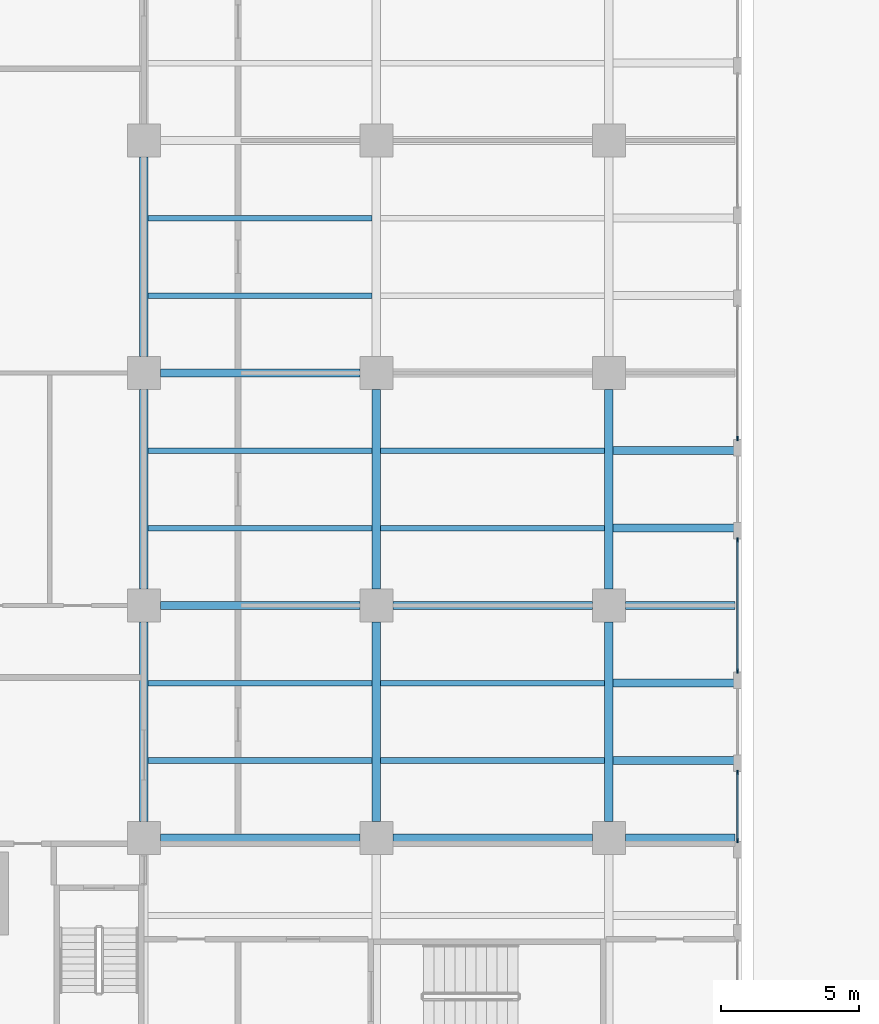
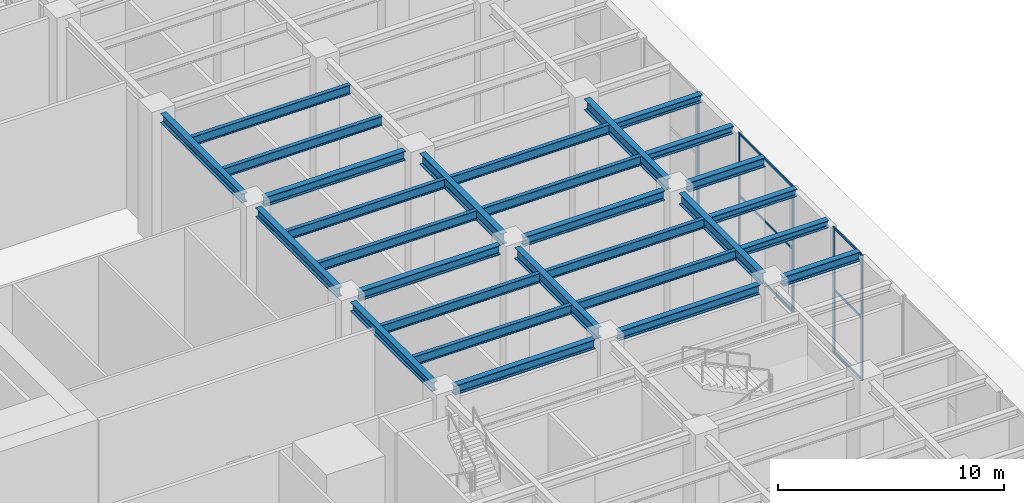
# One storey, part 13 of 43: 28 beams, 11 members, 3 elements without a shape of their own.
"""IFC4 building model written with IfcOpenShell, lengths in metres."""

from ifc_helpers import new_model, si_unit, direction, frame, origin, origin_2d, place, context, subcontext, project, spatial, rectangle, i_section, extrude, material, material_profile, profile_set, type_object, element, aggregate, save


model = new_model("IFC4")

# Units and contexts
model_context = context("Model", 3, precision=1e-05, world=origin(), true_north=direction((0.0, 1.0)))
body_context = subcontext(model_context, "Body", "Model", "MODEL_VIEW")
ifc_project = project(units=[si_unit("LENGTHUNIT", "METRE"), si_unit("AREAUNIT", "SQUARE_METRE"), si_unit("VOLUMEUNIT", "CUBIC_METRE"), si_unit("PLANEANGLEUNIT", "RADIAN"), si_unit("MASSUNIT", "GRAM", prefix="KILO")], contexts=[model_context])

# Site, building, storey
site_placement = place(None, origin())
site = spatial("IfcSite", under=ifc_project, at=site_placement, CompositionType="ELEMENT")
building_placement = place(site_placement, origin())
building = spatial("IfcBuilding", under=site, at=building_placement, Name="Khepri Terraces", CompositionType="ELEMENT")
storey_placement = place(building_placement, origin())
storey = spatial("IfcBuildingStorey", under=building, at=storey_placement, Name="L00", CompositionType="ELEMENT", Elevation=0.0)

# Curtain wall, members
ifc_material_1 = material(Name="Anodised aluminium bronze curtain wall", Category="aluminium")
curtain_wall_type = type_object("IfcCurtainWallType", Name="CW-SYS1-LOBBY", PredefinedType="NOTDEFINED", material=ifc_material_1)
curtain_wall_1_placement = place(storey_placement, origin())
curtain_wall_1 = element("IfcCurtainWall", 1, at=curtain_wall_1_placement, inside=storey, type_object=curtain_wall_type, Name="Curtain wall CW1 L00 E", PredefinedType="NOTDEFINED")
ifc_material_2 = material(Name="Anodised aluminium bronze", Category="aluminium")
ifc_material_profile_1 = material_profile(ifc_material_2, rectangle(XDim=0.06005859375, YDim=0.159912109375, at=origin_2d()), Name="Anodised aluminium bronze", Category="aluminium")
ifc_profile_set_1 = profile_set([ifc_material_profile_1], Name="Anodised aluminium bronze")
member_type_1 = type_object("IfcMemberType", Name="CW-MULLION-60x160", PredefinedType="MULLION", material=ifc_profile_set_1)
member_1_placement = place(storey_placement, frame((46.64990234375, -16.89501953125, 0.0), z_axis=(0.0, 0.0, 1.0), x_axis=(-1.0, 0.0, 0.0)))
member_1 = element("IfcMember", 2, at=member_1_placement, type_object=member_type_1, Name="CW1 mullion 1", PredefinedType="MULLION", context=body_context, shape_type="SweptSolid", body=[
    extrude(rectangle(XDim=0.06005859375, YDim=0.159912109375, at=origin_2d()), origin(), (0.0, 0.0, 1.0), 6.780029296875),
])
member_2_placement = place(storey_placement, frame((46.64990234375, -14.429931640625, 0.0), z_axis=(0.0, 0.0, 1.0), x_axis=(-1.0, 0.0, 0.0)))
member_2 = element("IfcMember", 3, at=member_2_placement, type_object=member_type_1, Name="CW1 mullion 2", PredefinedType="MULLION", context=body_context, shape_type="SweptSolid", body=[
    extrude(rectangle(XDim=0.06005859375, YDim=0.159912109375, at=origin_2d()), origin(), (0.0, 0.0, 1.0), 6.780029296875),
])

curtain_wall_2_placement = place(storey_placement, origin())
curtain_wall_2 = element("IfcCurtainWall", 4, at=curtain_wall_2_placement, inside=storey, type_object=curtain_wall_type, Name="Curtain wall CW1 L00 E", PredefinedType="NOTDEFINED")
member_3_placement = place(storey_placement, frame((46.64990234375, -10.77001953125, 0.0), z_axis=(0.0, 0.0, 1.0), x_axis=(-1.0, 0.0, 0.0)))
member_3 = element("IfcMember", 5, at=member_3_placement, type_object=member_type_1, Name="CW1 mullion 1", PredefinedType="MULLION", context=body_context, shape_type="SweptSolid", body=[
    extrude(rectangle(XDim=0.06005859375, YDim=0.159912109375, at=origin_2d()), origin(), (0.0, 0.0, 1.0), 6.780029296875),
])
member_4_placement = place(storey_placement, frame((46.64990234375, -6.030029296875, 0.0), z_axis=(0.0, 0.0, 1.0), x_axis=(-1.0, 0.0, 0.0)))
member_4 = element("IfcMember", 6, at=member_4_placement, type_object=member_type_1, Name="CW1 mullion 2", PredefinedType="MULLION", context=body_context, shape_type="SweptSolid", body=[
    extrude(rectangle(XDim=0.06005859375, YDim=0.159912109375, at=origin_2d()), origin(), (0.0, 0.0, 1.0), 6.780029296875),
])

# Curtain wall, member
curtain_wall_3_placement = place(storey_placement, origin())
curtain_wall_3 = element("IfcCurtainWall", 7, at=curtain_wall_3_placement, inside=storey, type_object=curtain_wall_type, Name="Curtain wall CW1 L00 E", PredefinedType="NOTDEFINED")
member_5_placement = place(storey_placement, frame((46.64990234375, -2.3701171875, 0.0), z_axis=(0.0, 0.0, 1.0), x_axis=(-1.0, 0.0, 0.0)))
member_5 = element("IfcMember", 8, at=member_5_placement, type_object=member_type_1, Name="CW1 mullion 1", PredefinedType="MULLION", context=body_context, shape_type="SweptSolid", body=[
    extrude(rectangle(XDim=0.06005859375, YDim=0.159912109375, at=origin_2d()), origin(), (0.0, 0.0, 1.0), 6.780029296875),
])
aggregate(curtain_wall_3, [member_5])

# Member
ifc_material_profile_2 = material_profile(ifc_material_2, rectangle(XDim=0.06005859375, YDim=0.1201171875, at=origin_2d()), Name="Anodised aluminium bronze", Category="aluminium")
ifc_profile_set_2 = profile_set([ifc_material_profile_2], Name="Anodised aluminium bronze")
member_type_2 = type_object("IfcMemberType", Name="CW-TRANSOM-60x120", PredefinedType="USERDEFINED", material=ifc_profile_set_2)
member_6_placement = place(storey_placement, frame((46.64990234375, -16.864990234375, 0.030029296875), z_axis=(0.0, 1.0, 0.0), x_axis=(-1.0, 0.0, 0.0)))
member_6 = element("IfcMember", 9, at=member_6_placement, type_object=member_type_2, Name="CW1 transom 1.1", ObjectType="TRANSOM", PredefinedType="USERDEFINED", context=body_context, shape_type="SweptSolid", body=[
    extrude(rectangle(XDim=0.06005859375, YDim=0.1201171875, at=origin_2d()), origin(), (0.0, 0.0, 1.0), 2.405029296875),
])

member_7_placement = place(storey_placement, frame((46.64990234375, -16.864990234375, 3.389892578125), z_axis=(0.0, 1.0, 0.0), x_axis=(-1.0, 0.0, 0.0)))
member_7 = element("IfcMember", 10, at=member_7_placement, type_object=member_type_2, Name="CW1 transom 1.2", ObjectType="TRANSOM", PredefinedType="USERDEFINED", context=body_context, shape_type="SweptSolid", body=[
    extrude(rectangle(XDim=0.06005859375, YDim=0.1201171875, at=origin_2d()), origin(), (0.0, 0.0, 1.0), 2.405029296875),
])

member_8_placement = place(storey_placement, frame((46.64990234375, -16.864990234375, 6.75), z_axis=(0.0, 1.0, 0.0), x_axis=(-1.0, 0.0, 0.0)))
member_8 = element("IfcMember", 11, at=member_8_placement, type_object=member_type_2, Name="CW1 transom 1.3", ObjectType="TRANSOM", PredefinedType="USERDEFINED", context=body_context, shape_type="SweptSolid", body=[
    extrude(rectangle(XDim=0.06005859375, YDim=0.1201171875, at=origin_2d()), origin(), (0.0, 0.0, 1.0), 2.405029296875),
])

aggregate(curtain_wall_1, [member_1, member_2, member_6, member_7, member_8])

member_9_placement = place(storey_placement, frame((46.64990234375, -10.739990234375, 0.030029296875), z_axis=(0.0, 1.0, 0.0), x_axis=(-1.0, 0.0, 0.0)))
member_9 = element("IfcMember", 12, at=member_9_placement, type_object=member_type_2, Name="CW1 transom 1.1", ObjectType="TRANSOM", PredefinedType="USERDEFINED", context=body_context, shape_type="SweptSolid", body=[
    extrude(rectangle(XDim=0.06005859375, YDim=0.1201171875, at=origin_2d()), origin(), (0.0, 0.0, 1.0), 4.679931640625),
])

member_10_placement = place(storey_placement, frame((46.64990234375, -10.739990234375, 3.389892578125), z_axis=(0.0, 1.0, 0.0), x_axis=(-1.0, 0.0, 0.0)))
member_10 = element("IfcMember", 13, at=member_10_placement, type_object=member_type_2, Name="CW1 transom 1.2", ObjectType="TRANSOM", PredefinedType="USERDEFINED", context=body_context, shape_type="SweptSolid", body=[
    extrude(rectangle(XDim=0.06005859375, YDim=0.1201171875, at=origin_2d()), origin(), (0.0, 0.0, 1.0), 4.679931640625),
])

member_11_placement = place(storey_placement, frame((46.64990234375, -10.739990234375, 6.75), z_axis=(0.0, 1.0, 0.0), x_axis=(-1.0, 0.0, 0.0)))
member_11 = element("IfcMember", 14, at=member_11_placement, type_object=member_type_2, Name="CW1 transom 1.3", ObjectType="TRANSOM", PredefinedType="USERDEFINED", context=body_context, shape_type="SweptSolid", body=[
    extrude(rectangle(XDim=0.06005859375, YDim=0.1201171875, at=origin_2d()), origin(), (0.0, 0.0, 1.0), 4.679931640625),
])

aggregate(curtain_wall_2, [member_3, member_4, member_9, member_10, member_11])

# Beams
ifc_material_3 = material(Name="Steel S355", Category="steel")
ifc_material_profile_3 = material_profile(ifc_material_3, i_section(OverallWidth=0.300048828125, OverallDepth=0.39990234375, WebThickness=0.013427734375, FlangeThickness=0.02392578125, FilletRadius=0.027099609375, at=origin_2d()), Name="Steel S355", Category="steel")
ifc_profile_set_3 = profile_set([ifc_material_profile_3], Name="Steel S355")
beam_type_1 = type_object("IfcBeamType", Name="Podium cantilever joist L01 HEB 400", PredefinedType="JOIST", material=ifc_profile_set_3)
for number, where, z_axis, x_axis, name in (
    (15, (42.14990234375, -14.0, 6.800048828125), (1.0, 0.0, 0.0), (0.0, 1.0, 0.0), "Podium cantilever joist L01 112"),
    (16, (42.14990234375, -11.199951171875, 6.800048828125), (1.0, 0.0, 0.0), (0.0, 1.0, 0.0), "Podium cantilever joist L01 118"),
    (17, (42.14990234375, -5.60009765625, 6.800048828125), (1.0, 0.0, 0.0), (0.0, 1.0, 0.0), "Podium cantilever joist L01 130"),
    (18, (42.14990234375, -2.800048828125, 6.800048828125), (1.0, 0.0, 0.0), (0.0, 1.0, 0.0), "Podium cantilever joist L01 136"),
):
    element("IfcBeam", number, at=place(storey_placement, frame(where, z_axis=z_axis, x_axis=x_axis)), inside=storey, type_object=beam_type_1, Name=name, PredefinedType="JOIST", context=body_context, shape_type="SweptSolid", body=[
        extrude(i_section(OverallWidth=0.300048828125, OverallDepth=0.39990234375, WebThickness=0.013427734375, FlangeThickness=0.02392578125, FilletRadius=0.027099609375, at=origin_2d()), origin(), (0.0, 0.0, 1.0), 4.400146484375),
    ])
ifc_material_profile_4 = material_profile(ifc_material_3, i_section(OverallWidth=0.300048828125, OverallDepth=0.60009765625, WebThickness=0.015380859375, FlangeThickness=0.030029296875, FilletRadius=0.027099609375, at=origin_2d()), Name="Steel S355", Category="steel")
ifc_profile_set_4 = profile_set([ifc_material_profile_4], Name="Steel S355")
beam_type_2 = type_object("IfcBeamType", Name="Podium girder L01 HEB 600", PredefinedType="BEAM", material=ifc_profile_set_4)
for number, where, z_axis, x_axis, name in (
    (19, (33.60009765625, -16.199951171875, 6.699951171875), (0.0, 1.0, 0.0), (-1.0, 0.0, 0.0), "Podium girder L01 079"),
    (20, (33.60009765625, -7.800048828125, 6.699951171875), (0.0, 1.0, 0.0), (-1.0, 0.0, 0.0), "Podium girder L01 080"),
    (21, (42.0, -16.199951171875, 6.699951171875), (0.0, 1.0, 0.0), (-1.0, 0.0, 0.0), "Podium girder L01 091"),
    (22, (42.0, -7.800048828125, 6.699951171875), (0.0, 1.0, 0.0), (-1.0, 0.0, 0.0), "Podium girder L01 092"),
):
    element("IfcBeam", number, at=place(storey_placement, frame(where, z_axis=z_axis, x_axis=x_axis)), inside=storey, type_object=beam_type_2, Name=name, PredefinedType="BEAM", context=body_context, shape_type="SweptSolid", body=[
        extrude(i_section(OverallWidth=0.300048828125, OverallDepth=0.60009765625, WebThickness=0.015380859375, FlangeThickness=0.030029296875, FilletRadius=0.027099609375, at=origin_2d()), origin(), (0.0, 0.0, 1.0), 7.199951171875),
    ])
ifc_material_profile_5 = material_profile(ifc_material_3, i_section(OverallWidth=0.300048828125, OverallDepth=0.5, WebThickness=0.014404296875, FlangeThickness=0.028076171875, FilletRadius=0.027099609375, at=origin_2d()), Name="Steel S355", Category="steel")
ifc_profile_set_5 = profile_set([ifc_material_profile_5], Name="Steel S355")
beam_type_3 = type_object("IfcBeamType", Name="Podium girder L01 grid line HEB 500", PredefinedType="BEAM", material=ifc_profile_set_5)
for number, where, z_axis, x_axis, name in (
    (23, (25.800048828125, -16.800048828125, 6.75), (1.0, 0.0, 0.0), (0.0, 1.0, 0.0), "Podium grid-line girder L01 104"),
    (24, (34.199951171875, -16.800048828125, 6.75), (1.0, 0.0, 0.0), (0.0, 1.0, 0.0), "Podium grid-line girder L01 105"),
):
    element("IfcBeam", number, at=place(storey_placement, frame(where, z_axis=z_axis, x_axis=x_axis)), inside=storey, type_object=beam_type_3, Name=name, PredefinedType="BEAM", context=body_context, shape_type="SweptSolid", body=[
        extrude(i_section(OverallWidth=0.300048828125, OverallDepth=0.5, WebThickness=0.014404296875, FlangeThickness=0.028076171875, FilletRadius=0.027099609375, at=origin_2d()), origin(), (0.0, 0.0, 1.0), 7.199951171875),
    ])
beam_1_placement = place(storey_placement, frame((42.60009765625, -16.800048828125, 6.75), z_axis=(1.0, 0.0, 0.0), x_axis=(0.0, 1.0, 0.0)))
element("IfcBeam", 25, at=beam_1_placement, inside=storey, type_object=beam_type_3, Name="Podium grid-line girder L01 106", PredefinedType="BEAM", context=body_context, shape_type="SweptSolid", body=[
    extrude(i_section(OverallWidth=0.300048828125, OverallDepth=0.5, WebThickness=0.014404296875, FlangeThickness=0.028076171875, FilletRadius=0.027099609375, at=origin_2d()), origin(), (0.0, 0.0, 1.0), 3.949951171875),
])
for number, where, z_axis, x_axis, name in (
    (26, (25.800048828125, -8.39990234375, 6.75), (1.0, 0.0, 0.0), (0.0, 1.0, 0.0), "Podium grid-line girder L01 122"),
    (27, (34.199951171875, -8.39990234375, 6.75), (1.0, 0.0, 0.0), (0.0, 1.0, 0.0), "Podium grid-line girder L01 123"),
):
    element("IfcBeam", number, at=place(storey_placement, frame(where, z_axis=z_axis, x_axis=x_axis)), inside=storey, type_object=beam_type_3, Name=name, PredefinedType="BEAM", context=body_context, shape_type="SweptSolid", body=[
        extrude(i_section(OverallWidth=0.300048828125, OverallDepth=0.5, WebThickness=0.014404296875, FlangeThickness=0.028076171875, FilletRadius=0.027099609375, at=origin_2d()), origin(), (0.0, 0.0, 1.0), 7.199951171875),
    ])
beam_2_placement = place(storey_placement, frame((42.60009765625, -8.39990234375, 6.75), z_axis=(1.0, 0.0, 0.0), x_axis=(0.0, 1.0, 0.0)))
element("IfcBeam", 28, at=beam_2_placement, inside=storey, type_object=beam_type_3, Name="Podium grid-line girder L01 124", PredefinedType="BEAM", context=body_context, shape_type="SweptSolid", body=[
    extrude(i_section(OverallWidth=0.300048828125, OverallDepth=0.5, WebThickness=0.014404296875, FlangeThickness=0.028076171875, FilletRadius=0.027099609375, at=origin_2d()), origin(), (0.0, 0.0, 1.0), 3.949951171875),
])
beam_3_placement = place(storey_placement, frame((25.800048828125, 0.0, 6.75), z_axis=(1.0, 0.0, 0.0), x_axis=(0.0, 1.0, 0.0)))
element("IfcBeam", 29, at=beam_3_placement, inside=storey, type_object=beam_type_3, Name="Podium grid-line girder L01 140", PredefinedType="BEAM", context=body_context, shape_type="SweptSolid", body=[
    extrude(i_section(OverallWidth=0.300048828125, OverallDepth=0.5, WebThickness=0.014404296875, FlangeThickness=0.028076171875, FilletRadius=0.027099609375, at=origin_2d()), origin(), (0.0, 0.0, 1.0), 7.199951171875),
])
ifc_material_profile_6 = material_profile(ifc_material_3, i_section(OverallWidth=0.199951171875, OverallDepth=0.5, WebThickness=0.01025390625, FlangeThickness=0.01611328125, FilletRadius=0.02099609375, at=origin_2d()), Name="Steel S355", Category="steel")
ifc_profile_set_6 = profile_set([ifc_material_profile_6], Name="Steel S355")
beam_type_4 = type_object("IfcBeamType", Name="Podium joist L01 IPE 500", PredefinedType="JOIST", material=ifc_profile_set_6)
beam_4_placement = place(storey_placement, frame((25.35009765625, -14.0, 6.75), z_axis=(1.0, 0.0, 0.0), x_axis=(0.0, 1.0, 0.0)))
element("IfcBeam", 30, at=beam_4_placement, inside=storey, type_object=beam_type_4, Name="Podium joist L01 110", PredefinedType="JOIST", context=body_context, shape_type="SweptSolid", body=[
    extrude(i_section(OverallWidth=0.199951171875, OverallDepth=0.5, WebThickness=0.01025390625, FlangeThickness=0.01611328125, FilletRadius=0.02099609375, at=origin_2d()), origin(), (0.0, 0.0, 1.0), 8.099853515625),
])
beam_5_placement = place(storey_placement, frame((33.75, -14.0, 6.75), z_axis=(1.0, 0.0, 0.0), x_axis=(0.0, 1.0, 0.0)))
element("IfcBeam", 31, at=beam_5_placement, inside=storey, type_object=beam_type_4, Name="Podium joist L01 111", PredefinedType="JOIST", context=body_context, shape_type="SweptSolid", body=[
    extrude(i_section(OverallWidth=0.199951171875, OverallDepth=0.5, WebThickness=0.01025390625, FlangeThickness=0.01611328125, FilletRadius=0.02099609375, at=origin_2d()), origin(), (0.0, 0.0, 1.0), 8.10009765625),
])
beam_6_placement = place(storey_placement, frame((25.35009765625, -11.199951171875, 6.75), z_axis=(1.0, 0.0, 0.0), x_axis=(0.0, 1.0, 0.0)))
element("IfcBeam", 32, at=beam_6_placement, inside=storey, type_object=beam_type_4, Name="Podium joist L01 116", PredefinedType="JOIST", context=body_context, shape_type="SweptSolid", body=[
    extrude(i_section(OverallWidth=0.199951171875, OverallDepth=0.5, WebThickness=0.01025390625, FlangeThickness=0.01611328125, FilletRadius=0.02099609375, at=origin_2d()), origin(), (0.0, 0.0, 1.0), 8.099853515625),
])
beam_7_placement = place(storey_placement, frame((33.75, -11.199951171875, 6.75), z_axis=(1.0, 0.0, 0.0), x_axis=(0.0, 1.0, 0.0)))
element("IfcBeam", 33, at=beam_7_placement, inside=storey, type_object=beam_type_4, Name="Podium joist L01 117", PredefinedType="JOIST", context=body_context, shape_type="SweptSolid", body=[
    extrude(i_section(OverallWidth=0.199951171875, OverallDepth=0.5, WebThickness=0.01025390625, FlangeThickness=0.01611328125, FilletRadius=0.02099609375, at=origin_2d()), origin(), (0.0, 0.0, 1.0), 8.10009765625),
])
beam_8_placement = place(storey_placement, frame((25.35009765625, -5.60009765625, 6.75), z_axis=(1.0, 0.0, 0.0), x_axis=(0.0, 1.0, 0.0)))
element("IfcBeam", 34, at=beam_8_placement, inside=storey, type_object=beam_type_4, Name="Podium joist L01 128", PredefinedType="JOIST", context=body_context, shape_type="SweptSolid", body=[
    extrude(i_section(OverallWidth=0.199951171875, OverallDepth=0.5, WebThickness=0.01025390625, FlangeThickness=0.01611328125, FilletRadius=0.02099609375, at=origin_2d()), origin(), (0.0, 0.0, 1.0), 8.099853515625),
])
beam_9_placement = place(storey_placement, frame((33.75, -5.60009765625, 6.75), z_axis=(1.0, 0.0, 0.0), x_axis=(0.0, 1.0, 0.0)))
element("IfcBeam", 35, at=beam_9_placement, inside=storey, type_object=beam_type_4, Name="Podium joist L01 129", PredefinedType="JOIST", context=body_context, shape_type="SweptSolid", body=[
    extrude(i_section(OverallWidth=0.199951171875, OverallDepth=0.5, WebThickness=0.01025390625, FlangeThickness=0.01611328125, FilletRadius=0.02099609375, at=origin_2d()), origin(), (0.0, 0.0, 1.0), 8.10009765625),
])
beam_10_placement = place(storey_placement, frame((25.35009765625, -2.800048828125, 6.75), z_axis=(1.0, 0.0, 0.0), x_axis=(0.0, 1.0, 0.0)))
element("IfcBeam", 36, at=beam_10_placement, inside=storey, type_object=beam_type_4, Name="Podium joist L01 134", PredefinedType="JOIST", context=body_context, shape_type="SweptSolid", body=[
    extrude(i_section(OverallWidth=0.199951171875, OverallDepth=0.5, WebThickness=0.01025390625, FlangeThickness=0.01611328125, FilletRadius=0.02099609375, at=origin_2d()), origin(), (0.0, 0.0, 1.0), 8.099853515625),
])
beam_11_placement = place(storey_placement, frame((33.75, -2.800048828125, 6.75), z_axis=(1.0, 0.0, 0.0), x_axis=(0.0, 1.0, 0.0)))
element("IfcBeam", 37, at=beam_11_placement, inside=storey, type_object=beam_type_4, Name="Podium joist L01 135", PredefinedType="JOIST", context=body_context, shape_type="SweptSolid", body=[
    extrude(i_section(OverallWidth=0.199951171875, OverallDepth=0.5, WebThickness=0.01025390625, FlangeThickness=0.01611328125, FilletRadius=0.02099609375, at=origin_2d()), origin(), (0.0, 0.0, 1.0), 8.10009765625),
])
for number, where, z_axis, x_axis, name in (
    (38, (25.35009765625, 2.800048828125, 6.75), (1.0, 0.0, 0.0), (0.0, 1.0, 0.0), "Podium joist L01 146"),
    (39, (25.35009765625, 5.60009765625, 6.75), (1.0, 0.0, 0.0), (0.0, 1.0, 0.0), "Podium joist L01 152"),
):
    element("IfcBeam", number, at=place(storey_placement, frame(where, z_axis=z_axis, x_axis=x_axis)), inside=storey, type_object=beam_type_4, Name=name, PredefinedType="JOIST", context=body_context, shape_type="SweptSolid", body=[
        extrude(i_section(OverallWidth=0.199951171875, OverallDepth=0.5, WebThickness=0.01025390625, FlangeThickness=0.01611328125, FilletRadius=0.02099609375, at=origin_2d()), origin(), (0.0, 0.0, 1.0), 8.099853515625),
    ])
ifc_material_profile_7 = material_profile(ifc_material_3, i_section(OverallWidth=0.300048828125, OverallDepth=0.5, WebThickness=0.014404296875, FlangeThickness=0.028076171875, FilletRadius=0.027099609375, at=origin_2d()), Name="Steel S355", Category="steel")
ifc_profile_set_7 = profile_set([ifc_material_profile_7], Name="Steel S355")
beam_type_5 = type_object("IfcBeamType", Name="Tower ring beam HEB 500", PredefinedType="BEAM", material=ifc_profile_set_7)
for number, where, z_axis, x_axis, name in (
    (40, (25.199951171875, -16.199951171875, 6.75), (0.0, 1.0, 0.0), (-1.0, 0.0, 0.0), "Ring beam L01 068"),
    (41, (25.199951171875, -7.800048828125, 6.75), (0.0, 1.0, 0.0), (-1.0, 0.0, 0.0), "Ring beam L01 069"),
    (42, (25.199951171875, 0.60009765625, 6.75), (0.0, 1.0, 0.0), (-1.0, 0.0, 0.0), "Ring beam L01 070"),
):
    element("IfcBeam", number, at=place(storey_placement, frame(where, z_axis=z_axis, x_axis=x_axis)), inside=storey, type_object=beam_type_5, Name=name, PredefinedType="BEAM", context=body_context, shape_type="SweptSolid", body=[
        extrude(i_section(OverallWidth=0.300048828125, OverallDepth=0.5, WebThickness=0.014404296875, FlangeThickness=0.028076171875, FilletRadius=0.027099609375, at=origin_2d()), origin(), (0.0, 0.0, 1.0), 7.199951171875),
    ])

save(model, "model.ifc")
